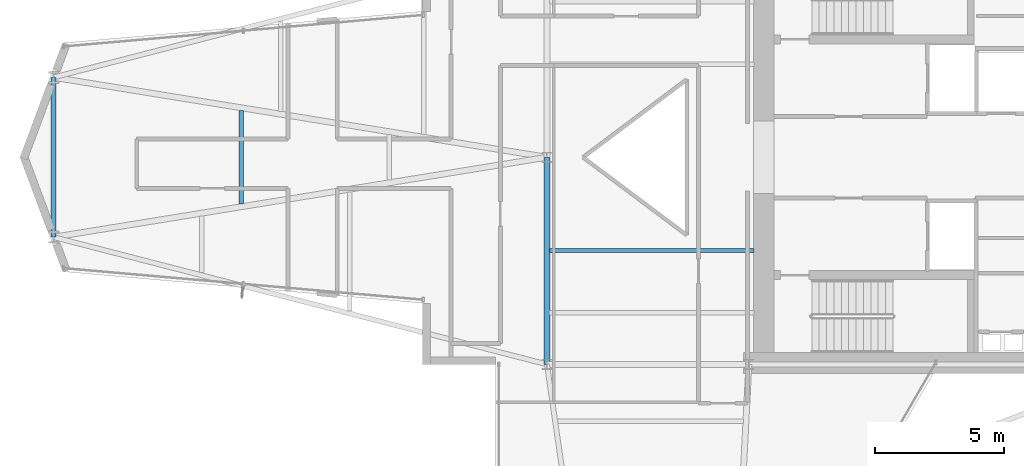
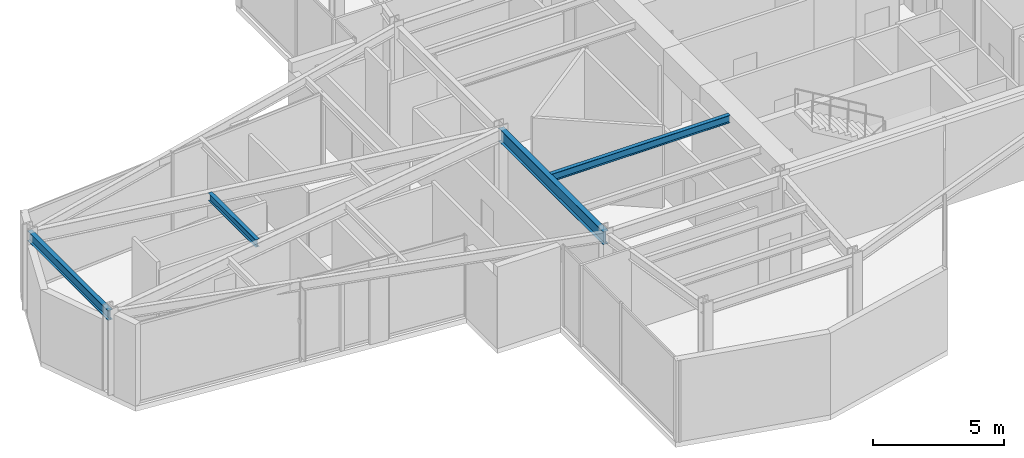
# One storey, part 7 of 25: 4 beams.
"""IFC4 building model written with IfcOpenShell, lengths in metres."""

from ifc_helpers import new_model, si_unit, direction, frame, origin, origin_2d, place, context, subcontext, project, spatial, i_section, extrude, material, material_profile, profile_set, type_object, element, save


model = new_model("IFC4")

# Units and contexts
model_context = context("Model", 3, precision=1e-05, world=origin(), true_north=direction((0.0, 1.0)))
body_context = subcontext(model_context, "Body", "Model", "MODEL_VIEW")
ifc_project = project(units=[si_unit("LENGTHUNIT", "METRE"), si_unit("AREAUNIT", "SQUARE_METRE"), si_unit("VOLUMEUNIT", "CUBIC_METRE"), si_unit("PLANEANGLEUNIT", "RADIAN"), si_unit("MASSUNIT", "GRAM", prefix="KILO")], contexts=[model_context])

# Site, building, storey
site_placement = place(None, origin())
site = spatial("IfcSite", under=ifc_project, at=site_placement, CompositionType="ELEMENT")
building_placement = place(site_placement, origin())
building = spatial("IfcBuilding", under=site, at=building_placement, Name="Veymaron Broadcast Tower", CompositionType="ELEMENT")
storey_placement = place(building_placement, frame((0.0, 0.0, 169.5)))
storey = spatial("IfcBuildingStorey", under=building, at=storey_placement, Name="L39", CompositionType="ELEMENT", Elevation=169.5)

# Beams
ifc_material = material(Name="Structural steel ASTM A992 Gr 50", Category="steel")
ifc_material_profile_1 = material_profile(ifc_material, i_section(OverallWidth=0.22802734375, OverallDepth=0.60791015625, WebThickness=0.01123046875, FlangeThickness=0.017333984375, at=origin_2d()), Name="W610X113")
ifc_profile_set_1 = profile_set([ifc_material_profile_1], Name="Structural steel ASTM A992 Gr 50")
beam_type_1 = type_object("IfcBeamType", Name="BM-FG2", PredefinedType="BEAM", material=ifc_profile_set_1)
beam_1_placement = place(storey_placement, frame((31.199951171875, 16.0, 3.506103515625), z_axis=(0.0, 1.0, 0.0), x_axis=(-1.0, 0.0, 0.0)))
element("IfcBeam", 1, at=beam_1_placement, inside=storey, type_object=beam_type_1, Name="L39 primary structural floor girder", PredefinedType="BEAM", context=body_context, shape_type="SweptSolid", body=[
    extrude(i_section(OverallWidth=0.22802734375, OverallDepth=0.60791015625, WebThickness=0.01123046875, FlangeThickness=0.017333984375, at=origin_2d()), origin(), (0.0, 0.0, 1.0), 8.0),
])
ifc_material_profile_2 = material_profile(ifc_material, i_section(OverallWidth=0.1708984375, OverallDepth=0.35498046875, WebThickness=0.007080078125, FlangeThickness=0.01171875, at=origin_2d()), Name="W360X51")
ifc_profile_set_2 = profile_set([ifc_material_profile_2], Name="Structural steel ASTM A992 Gr 50")
beam_type_2 = type_object("IfcBeamType", Name="BM-JS2", PredefinedType="JOIST", material=ifc_profile_set_2)
beam_2_placement = place(storey_placement, frame((19.38720703125, 22.187255859375, 3.632568359375), z_axis=(0.0, 1.0, 0.0), x_axis=(-1.0, 0.0, 0.0)))
element("IfcBeam", 2, at=beam_2_placement, inside=storey, type_object=beam_type_2, Name="L39 Arm-A secondary joist 1M", PredefinedType="JOIST", context=body_context, shape_type="SweptSolid", body=[
    extrude(i_section(OverallWidth=0.1708984375, OverallDepth=0.35498046875, WebThickness=0.007080078125, FlangeThickness=0.01171875, at=origin_2d()), origin(), (0.0, 0.0, 1.0), 3.62548828125),
])
beam_3_placement = place(storey_placement, frame((31.300048828125, 20.39990234375, 3.632568359375), z_axis=(1.0, 0.0, 0.0), x_axis=(0.0, 1.0, 0.0)))
element("IfcBeam", 3, at=beam_3_placement, inside=storey, type_object=beam_type_2, Name="L39 Hub secondary joist 2", PredefinedType="JOIST", context=body_context, shape_type="SweptSolid", body=[
    extrude(i_section(OverallWidth=0.1708984375, OverallDepth=0.35498046875, WebThickness=0.007080078125, FlangeThickness=0.01171875, at=origin_2d()), origin(), (0.0, 0.0, 1.0), 7.89990234375),
])
ifc_material_profile_3 = material_profile(ifc_material, i_section(OverallWidth=0.19091796875, OverallDepth=0.4599609375, WebThickness=0.010009765625, FlangeThickness=0.01611328125, at=origin_2d()), Name="W460X82")
ifc_profile_set_3 = profile_set([ifc_material_profile_3], Name="Structural steel ASTM A992 Gr 50")
beam_type_3 = type_object("IfcBeamType", Name="BM-SP1", PredefinedType="SPANDREL", material=ifc_profile_set_3)
beam_4_placement = place(storey_placement, frame((12.14697265625, 20.9150390625, 3.580078125), z_axis=(0.0, 1.0, 0.0), x_axis=(-1.0, 0.0, 0.0)))
element("IfcBeam", 4, at=beam_4_placement, inside=storey, type_object=beam_type_3, Name="L39 primary structural floor girder", PredefinedType="SPANDREL", context=body_context, shape_type="SweptSolid", body=[
    extrude(i_section(OverallWidth=0.19091796875, OverallDepth=0.4599609375, WebThickness=0.010009765625, FlangeThickness=0.01611328125, at=origin_2d()), origin(), (0.0, 0.0, 1.0), 6.169921875),
])

save(model, "model.ifc")
